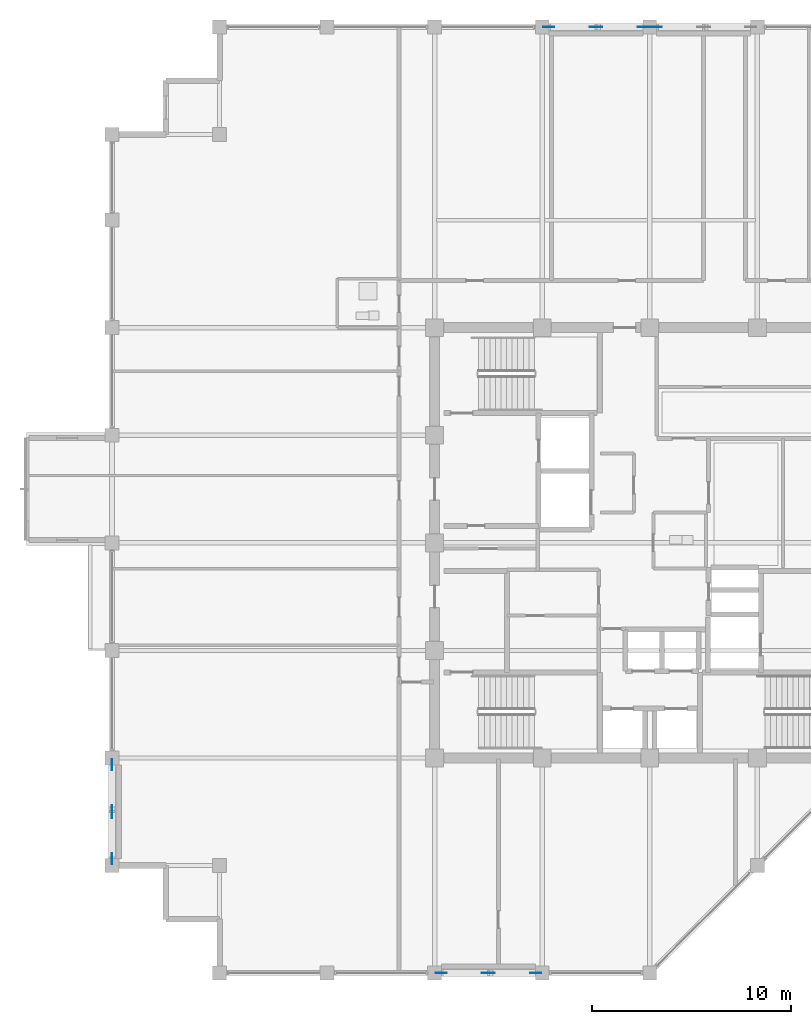
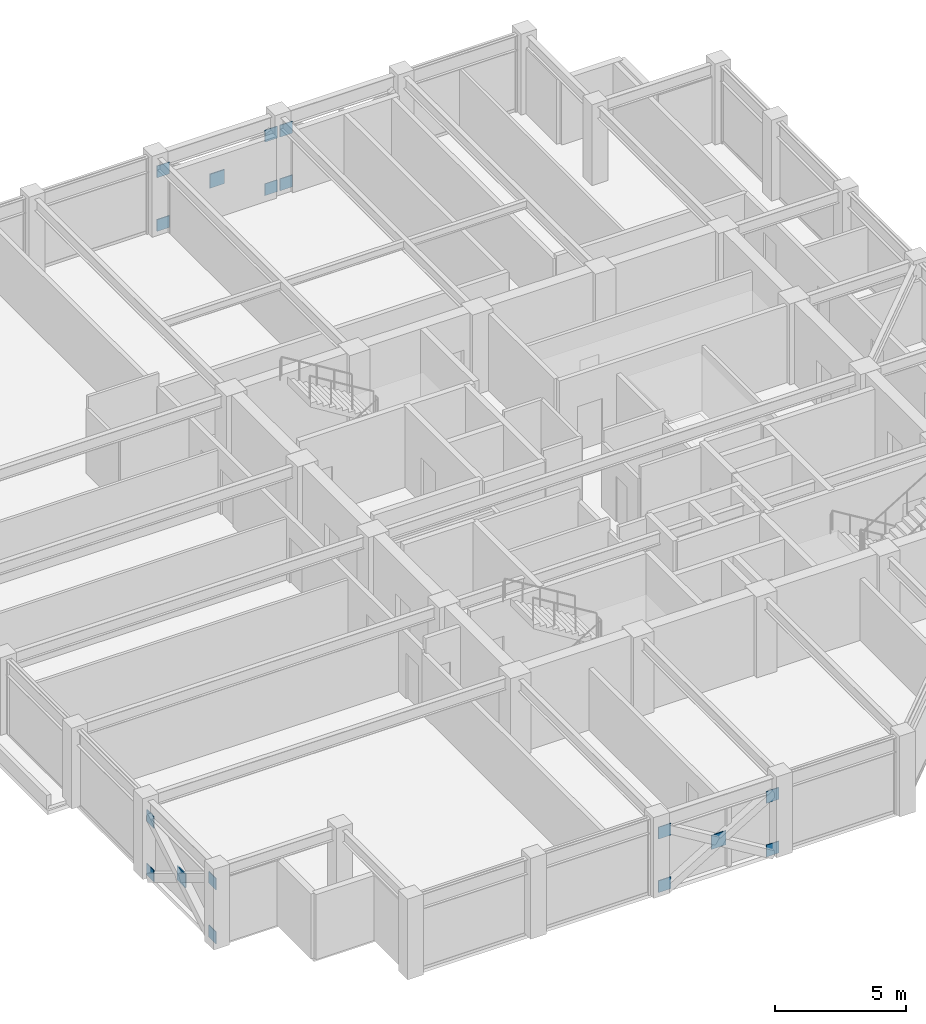
# One storey, part 23 of 31: 17 plates.
"""IFC4 building model written with IfcOpenShell, lengths in metres."""

from ifc_helpers import new_model, si_unit, direction, frame, origin, origin_2d, place, context, subcontext, project, spatial, rectangle, extrude, material, layer, layer_set, type_object, element, save


model = new_model("IFC4")

# Units and contexts
model_context = context("Model", 3, precision=1e-05, world=origin(), true_north=direction((0.0, 1.0)))
body_context = subcontext(model_context, "Body", "Model", "MODEL_VIEW")
ifc_project = project(units=[si_unit("LENGTHUNIT", "METRE"), si_unit("AREAUNIT", "SQUARE_METRE"), si_unit("VOLUMEUNIT", "CUBIC_METRE"), si_unit("PLANEANGLEUNIT", "RADIAN"), si_unit("MASSUNIT", "GRAM", prefix="KILO")], contexts=[model_context])

# Site, building, storey
site_placement = place(None, origin())
site = spatial("IfcSite", under=ifc_project, at=site_placement, CompositionType="ELEMENT")
building_placement = place(site_placement, origin())
building = spatial("IfcBuilding", under=site, at=building_placement, Name="Surkhivell Harbour Commons", CompositionType="ELEMENT")
storey_placement = place(building_placement, frame((0.0, 0.0, 315.0)))
storey = spatial("IfcBuildingStorey", under=building, at=storey_placement, Name="L82", CompositionType="ELEMENT", Elevation=315.0)

# Plates
ifc_material = material(Name="Steel S460", Category="steel")
ifc_layer_1 = layer(ifc_material, 0.035888671875)
ifc_layer_set_1 = layer_set([ifc_layer_1], Name="Steel S460")
plate_type_1 = type_object("IfcPlateType", Name="PLT-GUS-550", PredefinedType="USERDEFINED", material=ifc_layer_set_1)
for number, where, z_axis, x_axis, name in (
    (1, (-5.06494140625, 25.89990234375, -0.07470703125), (0.0, 0.0, 1.0), (1.0, 0.0, 0.0), "L82 Perimeter Mega-Brace MB- Corner Gusset N-1"),
    (2, (-0.3349609375, 25.89990234375, -0.07470703125), (0.0, 0.0, 1.0), (1.0, 0.0, 0.0), "L82 Perimeter Mega-Brace MB- Corner Gusset N-2"),
    (3, (-5.06494140625, 25.89990234375, 2.41357421875), (0.0, 0.0, 1.0), (1.0, 0.0, 0.0), "L82 Perimeter Mega-Brace MB- Corner Gusset N-3"),
    (4, (-0.3349609375, 25.89990234375, 2.41357421875), (0.0, 0.0, 1.0), (1.0, 0.0, 0.0), "L82 Perimeter Mega-Brace MB- Corner Gusset N-4"),
    (5, (0.3349609375, 25.89990234375, -0.07470703125), (0.0, 0.0, 1.0), (1.0, 0.0, 0.0), "L82 Perimeter Mega-Brace MB- Corner Gusset N2-1"),
    (6, (0.3349609375, 25.89990234375, 2.41357421875), (0.0, 0.0, 1.0), (1.0, 0.0, 0.0), "L82 Perimeter Mega-Brace MB- Corner Gusset N2-3"),
    (7, (-10.465087890625, -21.60009765625, -0.07470703125), (0.0, 0.0, 1.0), (1.0, 0.0, 0.0), "L82 Perimeter Mega-Brace MB- Corner Gusset S-1"),
    (8, (-5.735107421875, -21.60009765625, -0.07470703125), (0.0, 0.0, 1.0), (1.0, 0.0, 0.0), "L82 Perimeter Mega-Brace MB- Corner Gusset S-2"),
    (9, (-10.465087890625, -21.60009765625, 2.41357421875), (0.0, 0.0, 1.0), (1.0, 0.0, 0.0), "L82 Perimeter Mega-Brace MB- Corner Gusset S-3"),
    (10, (-5.735107421875, -21.60009765625, 2.41357421875), (0.0, 0.0, 1.0), (1.0, 0.0, 0.0), "L82 Perimeter Mega-Brace MB- Corner Gusset S-4"),
    (11, (-27.0, -15.864990234375, -0.07470703125), (0.0, 0.0, 1.0), (0.0, 1.0, 0.0), "L82 Perimeter Mega-Brace MB- Corner Gusset W-1"),
    (12, (-27.0, -11.135009765625, -0.07470703125), (0.0, 0.0, 1.0), (0.0, 1.0, 0.0), "L82 Perimeter Mega-Brace MB- Corner Gusset W-2"),
    (13, (-27.0, -15.864990234375, 2.41357421875), (0.0, 0.0, 1.0), (0.0, 1.0, 0.0), "L82 Perimeter Mega-Brace MB- Corner Gusset W-3"),
    (14, (-27.0, -11.135009765625, 2.41357421875), (0.0, 0.0, 1.0), (0.0, 1.0, 0.0), "L82 Perimeter Mega-Brace MB- Corner Gusset W-4"),
):
    element("IfcPlate", number, at=place(storey_placement, frame(where, z_axis=z_axis, x_axis=x_axis)), inside=storey, type_object=plate_type_1, Name=name, ObjectType="GUSSET_PLATE", PredefinedType="USERDEFINED", context=body_context, shape_type="SweptSolid", body=[
        extrude(rectangle(XDim=0.550048828125, YDim=0.035888671875, at=origin_2d()), origin(), (0.0, 0.0, 1.0), 0.550048828125),
    ])
ifc_layer_2 = layer(ifc_material, 0.044921875)
ifc_layer_set_2 = layer_set([ifc_layer_2], Name="Steel S460")
plate_type_2 = type_object("IfcPlateType", Name="PLT-GUS-650", PredefinedType="USERDEFINED", material=ifc_layer_set_2)
for number, where, z_axis, x_axis, name in (
    (15, (-2.699951171875, 25.89990234375, 1.11962890625), (0.0, 0.0, 1.0), (1.0, 0.0, 0.0), "L82 Perimeter Mega-Brace MB- Central Crossing Gusset N"),
    (16, (-8.10009765625, -21.60009765625, 1.11962890625), (0.0, 0.0, 1.0), (1.0, 0.0, 0.0), "L82 Perimeter Mega-Brace MB- Central Crossing Gusset S"),
    (17, (-27.0, -13.5, 1.11962890625), (0.0, 0.0, 1.0), (0.0, 1.0, 0.0), "L82 Perimeter Mega-Brace MB- Central Crossing Gusset W"),
):
    element("IfcPlate", number, at=place(storey_placement, frame(where, z_axis=z_axis, x_axis=x_axis)), inside=storey, type_object=plate_type_2, Name=name, ObjectType="GUSSET_PLATE", PredefinedType="USERDEFINED", context=body_context, shape_type="SweptSolid", body=[
        extrude(rectangle(XDim=0.64990234375, YDim=0.044921875, at=origin_2d()), origin(), (0.0, 0.0, 1.0), 0.64990234375),
    ])

save(model, "model.ifc")
